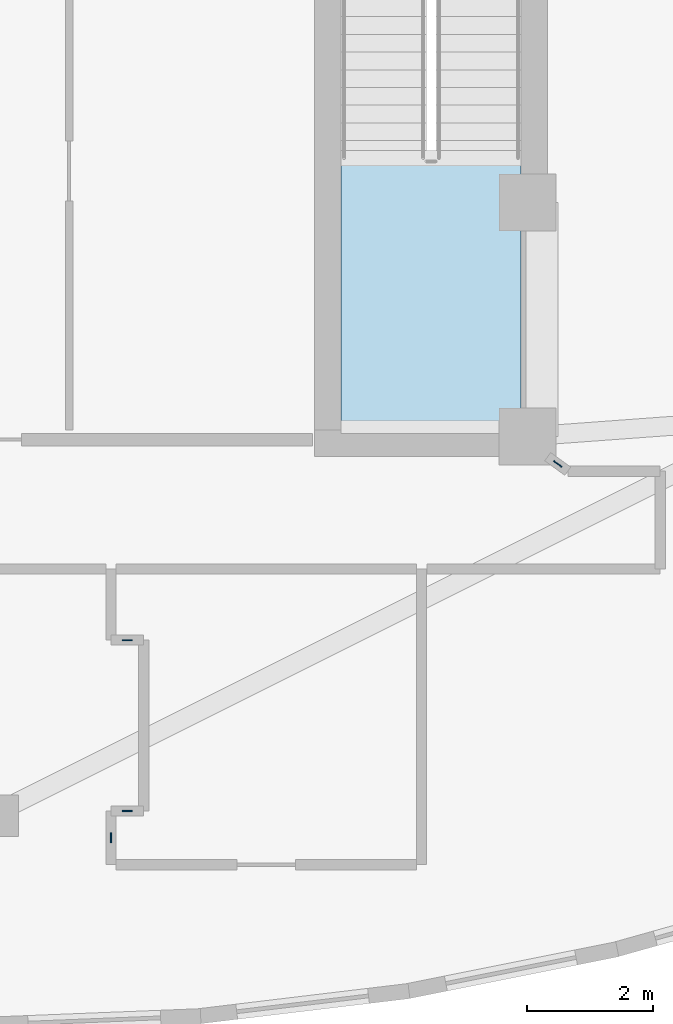
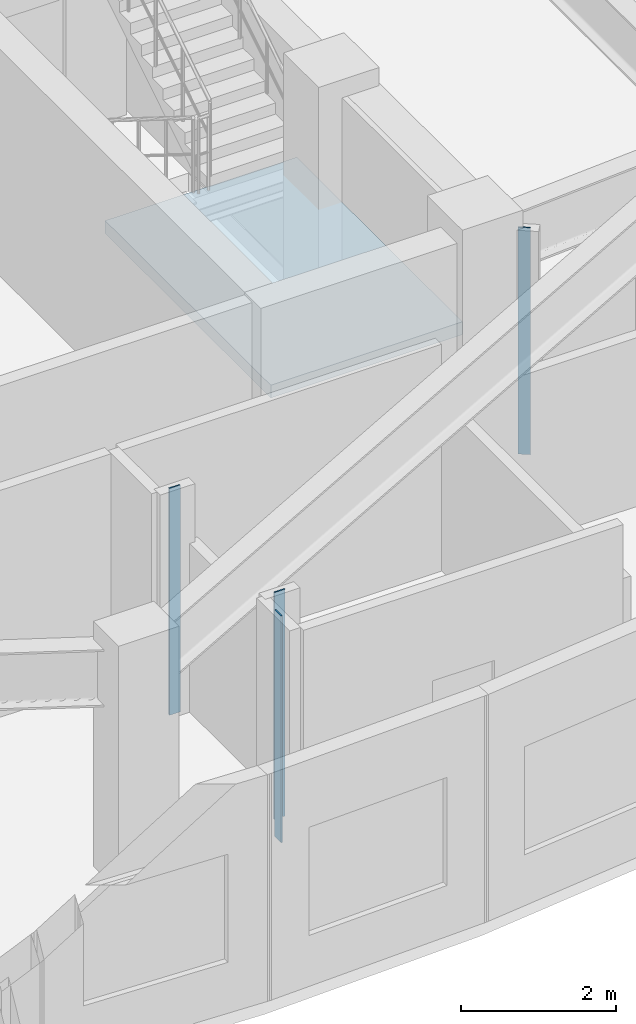
# One storey, part 2 of 9: 4 plates, 1 slab, 1 element without a shape of its own.
"""IFC4 building model written with IfcOpenShell, lengths in metres."""

from ifc_helpers import new_model, si_unit, direction, frame, origin, origin_2d, place, context, subcontext, project, spatial, polyline, rectangle, outline, extrude, material, layer, layer_set, type_object, element, aggregate, save


model = new_model("IFC4")

# Units and contexts
model_context = context("Model", 3, precision=1e-05, world=origin(), true_north=direction((0.0, 1.0)))
body_context = subcontext(model_context, "Body", "Model", "MODEL_VIEW")
ifc_project = project(units=[si_unit("LENGTHUNIT", "METRE"), si_unit("AREAUNIT", "SQUARE_METRE"), si_unit("VOLUMEUNIT", "CUBIC_METRE"), si_unit("PLANEANGLEUNIT", "RADIAN"), si_unit("MASSUNIT", "GRAM", prefix="KILO")], contexts=[model_context])

# Site, building, storey
site_placement = place(None, origin())
site = spatial("IfcSite", under=ifc_project, at=site_placement, CompositionType="ELEMENT")
building_placement = place(site_placement, origin())
building = spatial("IfcBuilding", under=site, at=building_placement, Name="Miruveldt Soraemaru", CompositionType="ELEMENT")
storey_placement = place(building_placement, frame((0.0, 0.0, 275.10009765625)))
storey = spatial("IfcBuildingStorey", under=building, at=storey_placement, Name="L75", CompositionType="ELEMENT", Elevation=275.10009765625)

# Plates
ifc_material_1 = material(Name="Anodised aluminium EN AW-6063 T6", Category="aluminium")
ifc_layer_1 = layer(ifc_material_1, 0.02001953125, Name="Anodised aluminium EN AW-6063 T6", Category="aluminium")
ifc_layer_set_1 = layer_set([ifc_layer_1], Name="Anodised aluminium EN AW-6063 T6")
plate_type = type_object("IfcPlateType", Name="PLT-PART-TRIM", PredefinedType="SHEET", material=ifc_layer_set_1)
for number, where, z_axis, x_axis, name in (
    (1, (45.912109375, 29.15087890625, 0.0), (0.0, 0.0, 1.0), (0.0, 1.0, 0.0), "L75 Partition Step Corner Trim Plate 029"),
    (2, (46.1708984375, 29.576904296875, 0.0), (0.0, 0.0, 1.0), (1.0, 0.0, 0.0), "L75 Partition Step Corner Trim Plate 034"),
    (3, (46.1708984375, 32.277099609375, 0.0), (0.0, 0.0, 1.0), (-1.0, 0.0, 0.0), "L75 Partition Step Corner Trim Plate 036"),
    (4, (52.97900390625, 35.06494140625, 0.0), (0.0, 0.0, 1.0), (-0.810246273656, 0.586089563144, 0.0), "L75 Partition Step Corner Trim Plate 002"),
):
    element("IfcPlate", number, at=place(storey_placement, frame(where, z_axis=z_axis, x_axis=x_axis)), inside=storey, type_object=plate_type, Name=name, PredefinedType="SHEET", context=body_context, shape_type="SweptSolid", body=[
        extrude(rectangle(XDim=0.159912109375, YDim=0.02001953125, at=origin_2d()), origin(), (0.0, 0.0, 1.0), 3.56494140625),
    ])

# Stair, slab
ifc_material_2 = material(Name="Concrete C40/50 (40 MPa)", Category="concrete")
stair_type = type_object("IfcStairType", Name="STAIR-DL-385", PredefinedType="HALF_TURN_STAIR", material=ifc_material_2)
stair_placement = place(storey_placement, origin())
stair = element("IfcStair", 5, at=stair_placement, inside=storey, type_object=stair_type, Name="L75 Protected Exit Stair ST-2", PredefinedType="HALF_TURN_STAIR")
ifc_layer_2 = layer(ifc_material_2, 0.199951171875, Name="Concrete C40/50 (40 MPa)", Category="concrete")
ifc_layer_set_2 = layer_set([ifc_layer_2], Name="Concrete C40/50 (40 MPa)")
slab_type = type_object("IfcSlabType", Name="SLAB-LAND-200", PredefinedType="LANDING", material=ifc_layer_set_2)
slab_placement = place(storey_placement, frame((0.0, 0.0, 1.724853515625)))
slab = element("IfcSlab", 6, at=slab_placement, type_object=slab_type, Name="ST-2 landing 1", PredefinedType="LANDING", context=body_context, shape_type="SweptSolid", body=[
    extrude(outline(polyline([(49.550048828125, 39.91796875), (49.550048828125, 35.64990234375), (52.39990234375, 35.64990234375), (52.39990234375, 39.91796875), (49.550048828125, 39.91796875)])), origin(), (0.0, 0.0, 1.0), 0.199951171875),
])
aggregate(stair, [slab])

save(model, "model.ifc")
